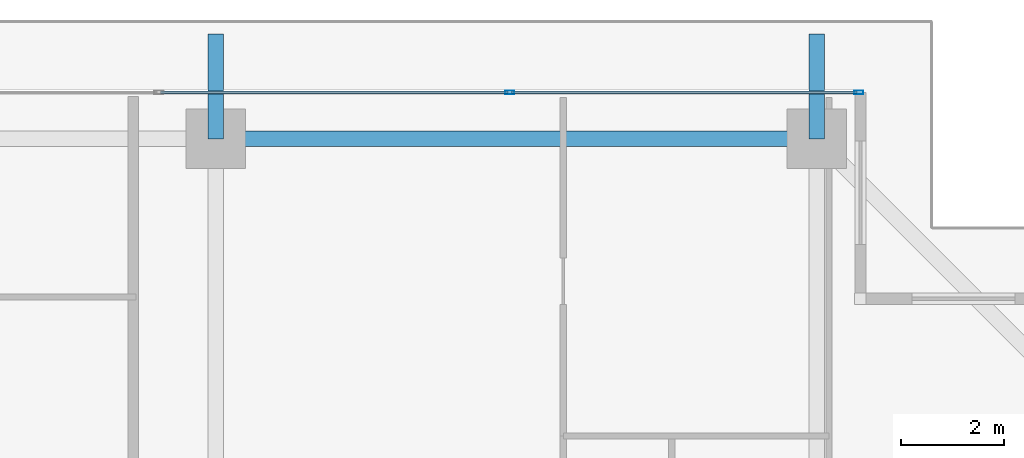
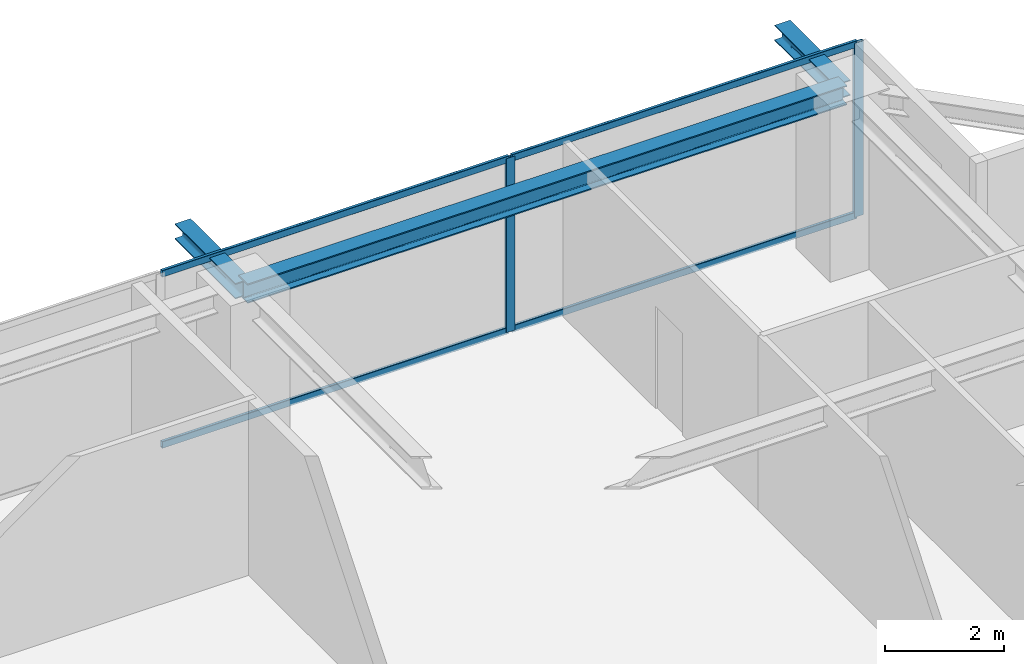
# One storey, part 22 of 35: 6 members, 3 beams, 1 element without a shape of its own.
"""IFC4 building model written with IfcOpenShell, lengths in metres."""

from ifc_helpers import new_model, si_unit, direction, frame, origin, origin_2d, place, context, subcontext, project, spatial, hollow_rectangle, i_section, extrude, source, transform, mapped, material, layer, layer_set, material_profile, profile_set, type_object, element, aggregate, save


model = new_model("IFC4")

# Units and contexts
model_context = context("Model", 3, precision=1e-05, world=origin(), true_north=direction((0.0, 1.0)))
body_context = subcontext(model_context, "Body", "Model", "MODEL_VIEW")
ifc_project = project(units=[si_unit("LENGTHUNIT", "METRE"), si_unit("AREAUNIT", "SQUARE_METRE"), si_unit("VOLUMEUNIT", "CUBIC_METRE"), si_unit("PLANEANGLEUNIT", "RADIAN"), si_unit("MASSUNIT", "GRAM", prefix="KILO")], contexts=[model_context])

# Site, building, storey
site_placement = place(None, origin())
site = spatial("IfcSite", under=ifc_project, at=site_placement, CompositionType="ELEMENT")
building_placement = place(site_placement, origin())
building = spatial("IfcBuilding", under=site, at=building_placement, Name="Serunith Strait Residences", CompositionType="ELEMENT")
storey_placement = place(building_placement, frame((0.0, 0.0, 210.449951171875)))
storey = spatial("IfcBuildingStorey", under=building, at=storey_placement, Name="L52", CompositionType="ELEMENT", Elevation=210.449951171875)

# Beams
ifc_material_1 = material(Name="Steel S355J2", Category="steel")
ifc_material_profile_1 = material_profile(ifc_material_1, i_section(OverallWidth=0.300048828125, OverallDepth=0.39990234375, WebThickness=0.013427734375, FlangeThickness=0.02392578125, FilletRadius=0.027099609375, at=origin_2d()), Name="HEB 400")
ifc_profile_set_1 = profile_set([ifc_material_profile_1], Name="Steel S355J2")
beam_type_1 = type_object("IfcBeamType", Name="BM-HEB400", PredefinedType="BEAM", material=ifc_profile_set_1)
shared_shape_1 = source(origin(), body_context, "Body", "SweptSolid", [
    extrude(i_section(OverallWidth=0.300048828125, OverallDepth=0.39990234375, WebThickness=0.013427734375, FlangeThickness=0.02392578125, FilletRadius=0.027099609375, at=origin_2d()), origin(), (0.0, 0.0, 1.0), 11.650146484375),
])
beam_placement = place(storey_placement, frame((48.550048828125, 48.300048828125, 3.386962890625), z_axis=(-1.0, 0.0, 0.0), x_axis=(0.0, -1.0, 0.0)))
element("IfcBeam", 1, at=beam_placement, inside=storey, type_object=beam_type_1, Name="L52 Perimeter Ring Beam 09", PredefinedType="BEAM", context=body_context, shape_type="MappedRepresentation", body=[
    mapped(shared_shape_1, transform((0.0, 0.0, 0.0), scale=1.0)),
])
ifc_material_profile_2 = material_profile(ifc_material_1, i_section(OverallWidth=0.300048828125, OverallDepth=0.320068359375, WebThickness=0.011474609375, FlangeThickness=0.0205078125, FilletRadius=0.027099609375, at=origin_2d()), Name="HEB 320")
ifc_profile_set_2 = profile_set([ifc_material_profile_2], Name="Steel S355J2")
beam_type_2 = type_object("IfcBeamType", Name="BM-HEB320", PredefinedType="BEAM", material=ifc_profile_set_2)
shared_shape_2 = source(origin(), body_context, "Body", "SweptSolid", [
    extrude(i_section(OverallWidth=0.300048828125, OverallDepth=0.320068359375, WebThickness=0.011474609375, FlangeThickness=0.0205078125, FilletRadius=0.027099609375, at=origin_2d()), origin(), (0.0, 0.0, 1.0), 2.030029296875),
])
for number, where, z_axis, x_axis, name in (
    (2, (36.89990234375, 48.300048828125, 3.39697265625), (0.0, 1.0, 0.0), (-1.0, 0.0, 0.0), "L53 Cantilevered Balcony Rib TC-N3"),
    (3, (48.550048828125, 48.300048828125, 3.39697265625), (0.0, 1.0, 0.0), (-1.0, 0.0, 0.0), "L53 Cantilevered Balcony Rib TC-N4"),
):
    element("IfcBeam", number, at=place(storey_placement, frame(where, z_axis=z_axis, x_axis=x_axis)), inside=storey, type_object=beam_type_2, Name=name, PredefinedType="BEAM", context=body_context, shape_type="MappedRepresentation", body=[
        mapped(shared_shape_2, transform((0.0, 0.0, 0.0), scale=1.0)),
    ])

# Curtain wall, members
ifc_material_2 = material(Name="Pale-Champagne Anodised Aluminium", Category="aluminium")
ifc_layer = layer(ifc_material_2, 0.199951171875, Name="Pale-Champagne Anodised Aluminium")
ifc_layer_set = layer_set([ifc_layer], Name="Pale-Champagne Anodised Aluminium")
curtain_wall_type = type_object("IfcCurtainWallType", Name="CW-SYS4", PredefinedType="NOTDEFINED", material=ifc_layer_set)
curtain_wall_placement = place(storey_placement, origin())
curtain_wall = element("IfcCurtainWall", 4, at=curtain_wall_placement, inside=storey, type_object=curtain_wall_type, Name="L52 N Unitised Fritted Curtain Wall", PredefinedType="NOTDEFINED")
ifc_material_profile_3 = material_profile(ifc_material_2, hollow_rectangle(XDim=0.06494140625, YDim=0.179931640625, WallThickness=0.00341796875, InnerFilletRadius=0.00537109375, OuterFilletRadius=0.0087890625, at=origin_2d()), Name="ALU 180x65x3.5")
ifc_profile_set_3 = profile_set([ifc_material_profile_3], Name="Pale-Champagne Anodised Aluminium")
member_type_1 = type_object("IfcMemberType", Name="CW-SYS4-MULL", PredefinedType="MULLION", material=ifc_profile_set_3)
shared_shape_3 = source(origin(), body_context, "Body", "SweptSolid", [
    extrude(hollow_rectangle(XDim=0.06494140625, YDim=0.179931640625, WallThickness=0.00341796875, InnerFilletRadius=0.00537109375, OuterFilletRadius=0.0087890625, at=origin_2d()), origin(), (0.0, 0.0, 1.0), 3.574951171875),
])
member_1_placement = place(storey_placement, frame((49.367431640625, 49.199951171875, 0.0), z_axis=(0.0, 0.0, 1.0), x_axis=(0.0, -1.0, 0.0)))
member_1 = element("IfcMember", 5, at=member_1_placement, type_object=member_type_1, Name="CW-4 mullion 1", PredefinedType="MULLION", context=body_context, shape_type="MappedRepresentation", body=[
    mapped(shared_shape_3, transform((0.0, 0.0, 0.0), scale=1.0)),
])
member_2_placement = place(storey_placement, frame((42.60009765625, 49.199951171875, 0.0), z_axis=(0.0, 0.0, 1.0), x_axis=(0.0, -1.0, 0.0)))
member_2 = element("IfcMember", 6, at=member_2_placement, type_object=member_type_1, Name="CW-4 mullion 2", PredefinedType="MULLION", context=body_context, shape_type="MappedRepresentation", body=[
    mapped(shared_shape_3, transform((0.0, 0.0, 0.0), scale=1.0)),
])
ifc_material_profile_4 = material_profile(ifc_material_2, hollow_rectangle(XDim=0.06005859375, YDim=0.139892578125, WallThickness=0.00341796875, InnerFilletRadius=0.00537109375, OuterFilletRadius=0.0087890625, at=origin_2d()), Name="ALU 140x60x3.5")
ifc_profile_set_4 = profile_set([ifc_material_profile_4], Name="Pale-Champagne Anodised Aluminium")
member_type_2 = type_object("IfcMemberType", Name="CW-SYS4-TRAN", PredefinedType="USERDEFINED", material=ifc_profile_set_4)
shared_shape_4 = source(origin(), body_context, "Body", "SweptSolid", [
    extrude(hollow_rectangle(XDim=0.06005859375, YDim=0.139892578125, WallThickness=0.00341796875, InnerFilletRadius=0.00537109375, OuterFilletRadius=0.0087890625, at=origin_2d()), origin(), (0.0, 0.0, 1.0), 6.702392578125),
])
member_3_placement = place(storey_placement, frame((49.3349609375, 49.199951171875, 0.030029296875), z_axis=(-1.0, 0.0, 0.0), x_axis=(0.0, -1.0, 0.0)))
member_3 = element("IfcMember", 7, at=member_3_placement, type_object=member_type_2, Name="CW-4 transom 1.1", ObjectType="TRANSOM", PredefinedType="USERDEFINED", context=body_context, shape_type="MappedRepresentation", body=[
    mapped(shared_shape_4, transform((0.0, 0.0, 0.0), scale=1.0)),
])
member_4_placement = place(storey_placement, frame((49.3349609375, 49.199951171875, 3.545166015625), z_axis=(-1.0, 0.0, 0.0), x_axis=(0.0, -1.0, 0.0)))
member_4 = element("IfcMember", 8, at=member_4_placement, type_object=member_type_2, Name="CW-4 transom 1.2", ObjectType="TRANSOM", PredefinedType="USERDEFINED", context=body_context, shape_type="MappedRepresentation", body=[
    mapped(shared_shape_4, transform((0.0, 0.0, 0.0), scale=1.0)),
])
shared_shape_5 = source(origin(), body_context, "Body", "SweptSolid", [
    extrude(hollow_rectangle(XDim=0.06005859375, YDim=0.139892578125, WallThickness=0.00341796875, InnerFilletRadius=0.00537109375, OuterFilletRadius=0.0087890625, at=origin_2d()), origin(), (0.0, 0.0, 1.0), 6.73486328125),
])
member_5_placement = place(storey_placement, frame((42.5673828125, 49.199951171875, 0.030029296875), z_axis=(-1.0, 0.0, 0.0), x_axis=(0.0, -1.0, 0.0)))
member_5 = element("IfcMember", 9, at=member_5_placement, type_object=member_type_2, Name="CW-4 transom 2.1", ObjectType="TRANSOM", PredefinedType="USERDEFINED", context=body_context, shape_type="MappedRepresentation", body=[
    mapped(shared_shape_5, transform((0.0, 0.0, 0.0), scale=1.0)),
])
member_6_placement = place(storey_placement, frame((42.5673828125, 49.199951171875, 3.545166015625), z_axis=(-1.0, 0.0, 0.0), x_axis=(0.0, -1.0, 0.0)))
member_6 = element("IfcMember", 10, at=member_6_placement, type_object=member_type_2, Name="CW-4 transom 2.2", ObjectType="TRANSOM", PredefinedType="USERDEFINED", context=body_context, shape_type="MappedRepresentation", body=[
    mapped(shared_shape_5, transform((0.0, 0.0, 0.0), scale=1.0)),
])
aggregate(curtain_wall, [member_1, member_2, member_3, member_4, member_5, member_6])

save(model, "model.ifc")
